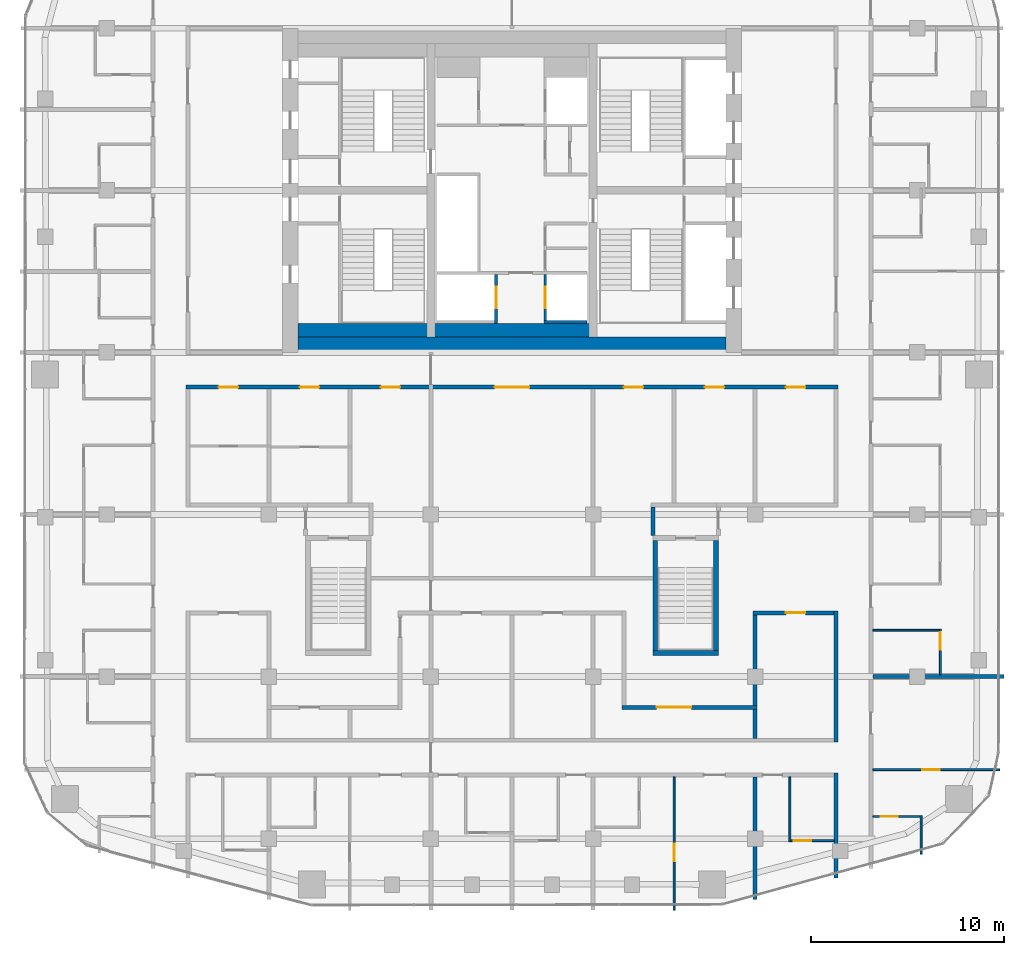
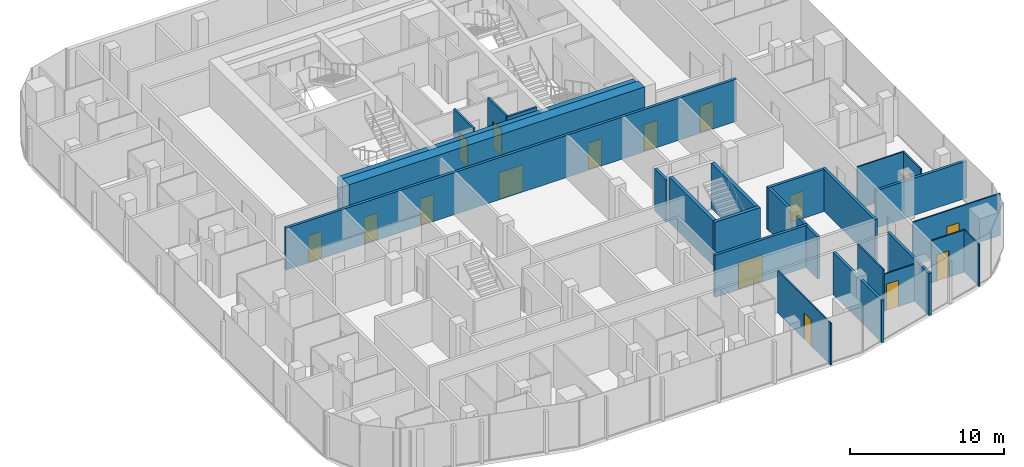
# One storey, part 16 of 22: 26 walls, 16 doors, 16 openings.
"""IFC4 building model written with IfcOpenShell, lengths in metres."""

import ifcopenshell
import ifcopenshell.guid

model = None  # the IFC model being written
_history = None  # IfcOwnerHistory: only IFC2X3 demands one
_inside = {}  # id of a spatial element -> (the spatial element, [elements in it])
_under = {}  # id of a project, library or spatial element -> (it, [spatial elements below it])
_declared = {}  # id of a project -> (the project, [libraries it declares])
_typed = {}  # id of a type object -> (the type object, [elements of that type])
_made_of = {}  # id of a material, layer set ... -> (it, [elements and type objects made of it])


def new_model(schema):
    """Start an empty IFC model of exactly this schema.

    Asked for "IFC4X3", IfcOpenShell would pick the latest addendum, in which some entities
    have other attributes; the version numbers below select the first issue.
    IFC2X3 requires an IfcOwnerHistory on every rooted entity: one is made here for all.
    """
    global model, _history
    if schema == "IFC4X3":
        model = ifcopenshell.file(schema_version=(4, 3, 0, 0))
    else:
        model = ifcopenshell.file(schema=schema)
    _inside.clear()
    _under.clear()
    _declared.clear()
    _typed.clear()
    _made_of.clear()
    _history = None
    if model.schema == "IFC2X3":
        org = make("IfcOrganization", Name="unknown")
        user = make(
            "IfcPersonAndOrganization",
            ThePerson=make("IfcPerson", FamilyName="unknown"),
            TheOrganization=org,
        )
        app = make(
            "IfcApplication",
            ApplicationDeveloper=org,
            Version="unknown",
            ApplicationFullName="unknown",
            ApplicationIdentifier="unknown",
        )
        _history = make(
            "IfcOwnerHistory",
            OwningUser=user,
            OwningApplication=app,
            ChangeAction="ADDED",
            CreationDate=0,
        )
    return model


def make(cls, **values):
    """One entity of the class cls with the attributes given. An attribute that is None is left unset."""
    return model.create_entity(
        cls, **{name: value for name, value in values.items() if value is not None}
    )


def rooted(cls, **values):
    """An entity with a GlobalId (a new one), such as an element, a storey or a relation."""
    return make(cls, GlobalId=ifcopenshell.guid.new(), OwnerHistory=_history, **values)


def si_unit(unit_type, name, prefix=None):
    """IfcSIUnit, for example si_unit("LENGTHUNIT", "METRE", prefix="MILLI")."""
    return make("IfcSIUnit", UnitType=unit_type, Prefix=prefix, Name=name)


def assignment(units):
    """IfcUnitAssignment: the units of a project."""
    return None if units is None else make("IfcUnitAssignment", Units=units)


def point(xyz):
    """IfcCartesianPoint."""
    return None if xyz is None else make("IfcCartesianPoint", Coordinates=xyz)


def direction(xyz):
    """IfcDirection."""
    return None if xyz is None else make("IfcDirection", DirectionRatios=xyz)


def frame(location, z_axis=None, x_axis=None):
    """IfcAxis2Placement3D, a coordinate frame: its origin and axes. An axis left out is left unset."""
    return make(
        "IfcAxis2Placement3D",
        Location=point(location),
        Axis=direction(z_axis),
        RefDirection=direction(x_axis),
    )


def frame_2d(location, x_axis=None):
    """IfcAxis2Placement2D, a coordinate frame in the plane: its origin and x axis."""
    return make(
        "IfcAxis2Placement2D", Location=point(location), RefDirection=direction(x_axis)
    )


def origin():
    """The frame at (0, 0, 0) with its axes left unset."""
    return frame((0.0, 0.0, 0.0))


def place(relative_to, where):
    """IfcLocalPlacement: puts the frame where relative to a parent placement (None: the world)."""
    return make(
        "IfcLocalPlacement", PlacementRelTo=relative_to, RelativePlacement=where
    )


def context(
    kind, dimensions, precision=None, world=None, true_north=None, identifier=None
):
    """IfcGeometricRepresentationContext, for example the 3D "Model" context."""
    return make(
        "IfcGeometricRepresentationContext",
        ContextIdentifier=identifier,
        ContextType=kind,
        CoordinateSpaceDimension=dimensions,
        Precision=precision,
        WorldCoordinateSystem=world,
        TrueNorth=true_north,
    )


def subcontext(parent, identifier, kind, view, scale=None):
    """IfcGeometricRepresentationSubContext, for example "Body" below "Model"."""
    return make(
        "IfcGeometricRepresentationSubContext",
        ContextIdentifier=identifier,
        ContextType=kind,
        ParentContext=parent,
        TargetScale=scale,
        TargetView=view,
    )


def project(units=None, contexts=None):
    """IfcProject with its units and contexts."""
    return rooted(
        "IfcProject",
        Name="project",
        RepresentationContexts=contexts,
        UnitsInContext=assignment(units),
    )


def spatial(cls, under=None, at=None, **own):
    """A site, building, storey or space (cls), placed at a placement, below another one or the project."""
    s = rooted(cls, ObjectPlacement=at, **own)
    if under is not None:
        _under.setdefault(under.id(), (under, []))[1].append(s)
    return s


def profile(cls, at=None, kind="AREA", **sizes):
    """A parametric profile (cls). Its sizes go by their IFC names, for example OverallWidth=200.0."""
    return make(cls, ProfileType=kind, Position=at, **sizes)


def rectangle(**sizes):
    """IfcRectangleProfileDef."""
    return profile("IfcRectangleProfileDef", **sizes)


def extrude(swept, where, along, depth):
    """IfcExtrudedAreaSolid: the profile swept, set in the frame where, extruded along a direction by depth."""
    return make(
        "IfcExtrudedAreaSolid",
        SweptArea=swept,
        Position=where,
        ExtrudedDirection=direction(along),
        Depth=depth,
    )


def shape(context_of_items, identifier, shape_type, items):
    """IfcShapeRepresentation: the items that make up one representation, for example the "Body"."""
    return make(
        "IfcShapeRepresentation",
        ContextOfItems=context_of_items,
        RepresentationIdentifier=identifier,
        RepresentationType=shape_type,
        Items=items,
    )


def material(Name=None, Category=None):
    """IfcMaterial."""
    return make("IfcMaterial", Name=Name, Category=Category)


def layer(
    of_material, thickness, ventilated=None, Name=None, Category=None, Priority=None
):
    """IfcMaterialLayer: one layer of a wall or slab, of a material (None: an air gap)."""
    return make(
        "IfcMaterialLayer",
        Material=of_material,
        LayerThickness=thickness,
        IsVentilated=ventilated,
        Name=Name,
        Category=Category,
        Priority=Priority,
    )


def layer_set(layers, Name=None):
    """IfcMaterialLayerSet."""
    return make("IfcMaterialLayerSet", MaterialLayers=layers, LayerSetName=Name)


def made_of(thing, what):
    """Note that an element or type object is made of a material, layer set ...; save() writes the relation."""
    if what is not None:
        _made_of.setdefault(what.id(), (what, []))[1].append(thing)
    return thing


def type_object(cls, material=None, **own):
    """A type object (cls), such as IfcWallType, which elements share."""
    return made_of(rooted(cls, **own), material)


def element(
    cls,
    number,
    at=None,
    inside=None,
    cuts=None,
    type_object=None,
    material=None,
    context=None,
    identifier="Body",
    shape_type=None,
    held_by="IfcProductDefinitionShape",
    body=None,
    shapes=None,
    **own,
):
    """One element of the class cls, such as IfcWall. Its Tag is "e" and its number.

    at: its placement. inside: the storey or other place that contains it. cuts: it is an
    opening in that element (IfcRelVoidsElement). A single representation is given by context,
    identifier, shape_type and body (its items); several are given by shapes. held_by: the class
    of the entity that holds the representations. save() writes the other relations.
    """
    e = rooted(cls, Tag="e%d" % number, ObjectPlacement=at, **own)
    if body is not None:
        shapes = [shape(context, identifier, shape_type, body)]
    if shapes is not None:
        e.Representation = make(held_by, Representations=shapes)
    if inside is not None:
        _inside.setdefault(inside.id(), (inside, []))[1].append(e)
    if cuts is not None:
        rooted(
            "IfcRelVoidsElement", RelatingBuildingElement=cuts, RelatedOpeningElement=e
        )
    if type_object is not None:
        _typed.setdefault(type_object.id(), (type_object, []))[1].append(e)
    return made_of(e, material)


def fill(opening, filler):
    """IfcRelFillsElement: the door or window that sits in an opening."""
    return rooted(
        "IfcRelFillsElement",
        RelatingOpeningElement=opening,
        RelatedBuildingElement=filler,
    )


def aggregate(whole, parts):
    """IfcRelAggregates: a whole, such as a stair, and the parts it consists of."""
    return rooted("IfcRelAggregates", RelatingObject=whole, RelatedObjects=parts)


def save(model, path):
    """Write the relations noted so far, then the file.

    IfcRelAggregates (storeys below a building ...), IfcRelContainedInSpatialStructure (elements
    in a storey), IfcRelDefinesByType, IfcRelAssociatesMaterial and IfcRelDeclares: one each for
    every whole, place, type object, material and project.
    """
    for whole, parts in _under.values():
        aggregate(whole, parts)
    for where, things in _inside.values():
        rooted(
            "IfcRelContainedInSpatialStructure",
            RelatedElements=things,
            RelatingStructure=where,
        )
    for kind, things in _typed.values():
        rooted("IfcRelDefinesByType", RelatedObjects=things, RelatingType=kind)
    for what, things in _made_of.values():
        rooted("IfcRelAssociatesMaterial", RelatedObjects=things, RelatingMaterial=what)
    for by, libraries in _declared.values():
        rooted("IfcRelDeclares", RelatingContext=by, RelatedDefinitions=libraries)
    model.write(path)


model = new_model("IFC4")

# Units and contexts
model_context = context("Model", 3, precision=1e-05, world=origin(), true_north=direction((0.0, 1.0)))
body_context = subcontext(model_context, "Body", "Model", "MODEL_VIEW")
ifc_project = project(units=[si_unit("LENGTHUNIT", "METRE"), si_unit("AREAUNIT", "SQUARE_METRE"), si_unit("VOLUMEUNIT", "CUBIC_METRE"), si_unit("PLANEANGLEUNIT", "RADIAN"), si_unit("MASSUNIT", "GRAM", prefix="KILO")], contexts=[model_context])

# Site, building, storey
site_placement = place(None, origin())
site = spatial("IfcSite", under=ifc_project, at=site_placement, CompositionType="ELEMENT")
building_placement = place(site_placement, origin())
building = spatial("IfcBuilding", under=site, at=building_placement, Name="Marenta Gate Hotel Tower", CompositionType="ELEMENT")
storey_placement = place(building_placement, frame((0.0, 0.0, 230.89990234375)))
storey = spatial("IfcBuildingStorey", under=building, at=storey_placement, Name="L54", CompositionType="ELEMENT", Elevation=230.89990234375)

# Wall
ifc_material_1 = material(Name="Concrete C40", Category="concrete")
ifc_layer_1 = layer(ifc_material_1, 0.699951171875)
ifc_layer_set_1 = layer_set([ifc_layer_1], Name="Concrete C40")
wall_type_1 = type_object("IfcWallType", Name="Core lining wall 700 REI 180", PredefinedType="PARTITIONING", material=ifc_layer_set_1)
wall_1_placement = place(storey_placement, frame((-11.10009765625, 1.14990234375, 0.0), z_axis=(0.0, 0.0, 1.0), x_axis=(1.0, 0.0, 0.0)))
element("IfcWall", 1, at=wall_1_placement, inside=storey, type_object=wall_type_1, Name="L54-CP-LN-S", PredefinedType="PARTITIONING", context=body_context, shape_type="SweptSolid", body=[
    extrude(rectangle(XDim=22.2001953125, YDim=0.699951171875, at=frame_2d((11.10009765625, 0.0))), origin(), (0.0, 0.0, 1.0), 3.340087890625),
])

# Wall, opening, door
ifc_material_2 = material(Name="Concrete C40", Category="concrete")
ifc_layer_2 = layer(ifc_material_2, 0.14990234375)
ifc_layer_set_2 = layer_set([ifc_layer_2], Name="Concrete C40")
wall_type_2 = type_object("IfcWallType", Name="Core shaft wall 150 REI 180", PredefinedType="SHEAR", material=ifc_layer_set_2)
wall_2_placement = place(storey_placement, frame((-0.824951171875, 1.5, 0.0), z_axis=(0.0, 0.0, 1.0), x_axis=(0.0, 1.0, 0.0)))
wall_2 = element("IfcWall", 2, at=wall_2_placement, inside=storey, type_object=wall_type_2, Name="L54-SHF-CW-W-ff", PredefinedType="SHEAR", context=body_context, shape_type="SweptSolid", body=[
    extrude(rectangle(XDim=2.550048828125, YDim=0.14990234375, at=frame_2d((1.27490234375, 0.0))), origin(), (0.0, 0.0, 1.0), 3.60009765625),
])
opening_1_placement = place(wall_2_placement, frame((0.800048828125, 0.0, 0.0)))
opening_1 = element("IfcOpeningElement", 3, at=opening_1_placement, cuts=wall_2, Name="Opening LD-FF1", PredefinedType="OPENING", context=body_context, shape_type="SweptSolid", body=[
    extrude(rectangle(XDim=1.10009765625, YDim=2.10009765625, at=frame_2d((0.550048828125, 1.050048828125))), frame((0.0, 0.074951171875, 0.0), z_axis=(0.0, -1.0, 0.0), x_axis=(1.0, 0.0, 0.0)), (0.0, 0.0, 1.0), 0.14990234375),
])
ifc_material_3 = material(Name="Steel", Category="steel")
door_type_1 = type_object("IfcDoorType", Name="Core lift landing door 1100x2100 E 60", OperationType="SLIDING_TO_LEFT", PredefinedType="DOOR", material=ifc_material_3)
door_1_placement = place(opening_1_placement, origin())
door_1 = element("IfcDoor", 4, at=door_1_placement, inside=storey, type_object=door_type_1, Name="LD-FF1", OperationType="SLIDING_TO_LEFT", OverallHeight=2.10009765625, OverallWidth=1.10009765625, PredefinedType="DOOR", context=body_context, shape_type="SweptSolid", body=[
    extrude(rectangle(XDim=1.10009765625, YDim=2.10009765625, at=frame_2d((0.550048828125, 1.050048828125))), frame((0.0, 0.02490234375, 0.0), z_axis=(0.0, -1.0, 0.0), x_axis=(1.0, 0.0, 0.0)), (0.0, 0.0, 1.0), 0.050048828125),
])
fill(opening_1, door_1)

wall_3_placement = place(storey_placement, frame((1.72509765625, 1.64990234375, 0.0), z_axis=(0.0, 0.0, 1.0), x_axis=(0.0, 1.0, 0.0)))
wall_3 = element("IfcWall", 5, at=wall_3_placement, inside=storey, type_object=wall_type_2, Name="L54-SHF-CE-S-ls", PredefinedType="SHEAR", context=body_context, shape_type="SweptSolid", body=[
    extrude(rectangle(XDim=2.400146484375, YDim=0.14990234375, at=frame_2d((1.2001953125, 0.0))), origin(), (0.0, 0.0, 1.0), 3.60009765625),
])
opening_2_placement = place(wall_3_placement, frame((0.64990234375, 0.0, 0.0)))
opening_2 = element("IfcOpeningElement", 6, at=opening_2_placement, cuts=wall_3, Name="Opening LD-SV1", PredefinedType="OPENING", context=body_context, shape_type="SweptSolid", body=[
    extrude(rectangle(XDim=1.10009765625, YDim=2.10009765625, at=frame_2d((0.550048828125, 1.050048828125))), frame((0.0, 0.074951171875, 0.0), z_axis=(0.0, -1.0, 0.0), x_axis=(1.0, 0.0, 0.0)), (0.0, 0.0, 1.0), 0.14990234375),
])
door_2_placement = place(opening_2_placement, origin())
door_2 = element("IfcDoor", 7, at=door_2_placement, inside=storey, type_object=door_type_1, Name="LD-SV1", OperationType="SLIDING_TO_LEFT", OverallHeight=2.10009765625, OverallWidth=1.10009765625, PredefinedType="DOOR", context=body_context, shape_type="SweptSolid", body=[
    extrude(rectangle(XDim=1.10009765625, YDim=2.10009765625, at=frame_2d((0.550048828125, 1.050048828125))), frame((0.0, 0.02490234375, 0.0), z_axis=(0.0, -1.0, 0.0), x_axis=(1.0, 0.0, 0.0)), (0.0, 0.0, 1.0), 0.050048828125),
])
fill(opening_2, door_2)

# Walls
wall_4_placement = place(storey_placement, frame((1.64990234375, 1.574951171875, 0.0), z_axis=(0.0, 0.0, 1.0), x_axis=(1.0, 0.0, 0.0)))
element("IfcWall", 8, at=wall_4_placement, inside=storey, type_object=wall_type_2, Name="L54-SHF-CE-S-bot", PredefinedType="SHEAR", context=body_context, shape_type="SweptSolid", body=[
    extrude(rectangle(XDim=2.25, YDim=0.14990234375, at=frame_2d((1.125, 0.0))), origin(), (0.0, 0.0, 1.0), 3.60009765625),
])
ifc_material_4 = material(Name="Concrete C60", Category="concrete")
ifc_layer_3 = layer(ifc_material_4, 0.800048828125)
ifc_layer_set_3 = layer_set([ifc_layer_3], Name="Concrete C60")
wall_type_3 = type_object("IfcWallType", Name="Core wall 800 C60", PredefinedType="SHEAR", material=ifc_layer_set_3)
wall_5_placement = place(storey_placement, frame((-11.10009765625, 0.39990234375, 0.0), z_axis=(0.0, 0.0, 1.0), x_axis=(1.0, 0.0, 0.0)))
element("IfcWall", 9, at=wall_5_placement, inside=storey, type_object=wall_type_3, Name="L54-CORE-S", PredefinedType="SHEAR", context=body_context, shape_type="SweptSolid", body=[
    extrude(rectangle(XDim=22.2001953125, YDim=0.800048828125, at=frame_2d((11.10009765625, 0.0))), origin(), (0.0, 0.0, 1.0), 3.60009765625),
])
ifc_material_5 = material(Name="Concrete C40", Category="concrete")
ifc_layer_4 = layer(ifc_material_5, 0.25)
ifc_layer_set_4 = layer_set([ifc_layer_4], Name="Concrete C40")
wall_type_4 = type_object("IfcWallType", Name="Remote stair enclosure wall 250 REI 180", PredefinedType="SHEAR", material=ifc_layer_set_4)
wall_6_placement = place(storey_placement, frame((7.300048828125, -15.574951171875, 0.10009765625), z_axis=(0.0, 0.0, 1.0), x_axis=(1.0, 0.0, 0.0)))
element("IfcWall", 10, at=wall_6_placement, inside=storey, type_object=wall_type_4, Name="L54-RS-Z3-2-W1", PredefinedType="SHEAR", context=body_context, shape_type="SweptSolid", body=[
    extrude(rectangle(XDim=3.39990234375, YDim=0.25, at=frame_2d((1.699951171875, 0.0))), origin(), (0.0, 0.0, 1.0), 3.60009765625),
])
for number, where, z_axis, x_axis, name in (
    (11, (7.425048828125, -15.449951171875, 0.10009765625), (0.0, 0.0, 1.0), (0.0, 1.0, 0.0), "L54-RS-Z3-2-W3"),
    (12, (10.574951171875, -15.449951171875, 0.10009765625), (0.0, 0.0, 1.0), (0.0, 1.0, 0.0), "L54-RS-Z3-2-W4"),
):
    element("IfcWall", number, at=place(storey_placement, frame(where, z_axis=z_axis, x_axis=x_axis)), inside=storey, type_object=wall_type_4, Name=name, PredefinedType="SHEAR", context=body_context, shape_type="SweptSolid", body=[
        extrude(rectangle(XDim=5.699951171875, YDim=0.25, at=frame_2d((2.85009765625, 0.0))), origin(), (0.0, 0.0, 1.0), 3.60009765625),
    ])

# Wall, openings, doors
ifc_material_6 = material(Name="Concrete blockwork", Category="masonry")
ifc_layer_5 = layer(ifc_material_6, 0.199951171875)
ifc_layer_set_5 = layer_set([ifc_layer_5], Name="Concrete blockwork")
wall_type_5 = type_object("IfcWallType", Name="Room corridor wall 200 EI 120", PredefinedType="PARTITIONING", material=ifc_layer_set_5)
wall_7_placement = place(storey_placement, frame((-16.89990234375, -1.800048828125, 0.0), z_axis=(0.0, 0.0, 1.0), x_axis=(1.0, 0.0, 0.0)))
wall_7 = element("IfcWall", 13, at=wall_7_placement, inside=storey, type_object=wall_type_5, Name="L54-PTN-W070", PredefinedType="PARTITIONING", context=body_context, shape_type="SweptSolid", body=[
    extrude(rectangle(XDim=33.7998046875, YDim=0.199951171875, at=frame_2d((16.89990234375, 0.0))), origin(), (0.0, 0.0, 1.0), 3.340087890625),
])
opening_3_placement = place(wall_7_placement, frame((1.699951171875, 0.0, 0.0)))
opening_3 = element("IfcOpeningElement", 14, at=opening_3_placement, cuts=wall_7, Name="Opening G20-01", PredefinedType="OPENING", context=body_context, shape_type="SweptSolid", body=[
    extrude(rectangle(XDim=1.0, YDim=2.10009765625, at=frame_2d((0.5, 1.050048828125))), frame((0.0, 0.10009765625, 0.0), z_axis=(0.0, -1.0, 0.0), x_axis=(1.0, 0.0, 0.0)), (0.0, 0.0, 1.0), 0.199951171875),
])
opening_4_placement = place(wall_7_placement, frame((5.89990234375, 0.0, 0.0)))
opening_4 = element("IfcOpeningElement", 15, at=opening_4_placement, cuts=wall_7, Name="Opening G20-03", PredefinedType="OPENING", context=body_context, shape_type="SweptSolid", body=[
    extrude(rectangle(XDim=1.0, YDim=2.10009765625, at=frame_2d((0.5, 1.050048828125))), frame((0.0, 0.10009765625, 0.0), z_axis=(0.0, -1.0, 0.0), x_axis=(1.0, 0.0, 0.0)), (0.0, 0.0, 1.0), 0.199951171875),
])
opening_5_placement = place(wall_7_placement, frame((10.10009765625, 0.0, 0.0)))
opening_5 = element("IfcOpeningElement", 16, at=opening_5_placement, cuts=wall_7, Name="Opening G20-05", PredefinedType="OPENING", context=body_context, shape_type="SweptSolid", body=[
    extrude(rectangle(XDim=1.0, YDim=2.10009765625, at=frame_2d((0.5, 1.050048828125))), frame((0.0, 0.10009765625, 0.0), z_axis=(0.0, -1.0, 0.0), x_axis=(1.0, 0.0, 0.0)), (0.0, 0.0, 1.0), 0.199951171875),
])
opening_6_placement = place(wall_7_placement, frame((16.0, 0.0, 0.0)))
opening_6 = element("IfcOpeningElement", 17, at=opening_6_placement, cuts=wall_7, Name="Opening G20-06", PredefinedType="OPENING", context=body_context, shape_type="SweptSolid", body=[
    extrude(rectangle(XDim=1.800048828125, YDim=2.10009765625, at=frame_2d((0.89990234375, 1.050048828125))), frame((0.0, 0.10009765625, 0.0), z_axis=(0.0, -1.0, 0.0), x_axis=(1.0, 0.0, 0.0)), (0.0, 0.0, 1.0), 0.199951171875),
])
opening_7_placement = place(wall_7_placement, frame((22.699951171875, 0.0, 0.0)))
opening_7 = element("IfcOpeningElement", 18, at=opening_7_placement, cuts=wall_7, Name="Opening G20-07", PredefinedType="OPENING", context=body_context, shape_type="SweptSolid", body=[
    extrude(rectangle(XDim=1.0, YDim=2.10009765625, at=frame_2d((0.5, 1.050048828125))), frame((0.0, 0.10009765625, 0.0), z_axis=(0.0, -1.0, 0.0), x_axis=(1.0, 0.0, 0.0)), (0.0, 0.0, 1.0), 0.199951171875),
])
opening_8_placement = place(wall_7_placement, frame((26.89990234375, 0.0, 0.0)))
opening_8 = element("IfcOpeningElement", 19, at=opening_8_placement, cuts=wall_7, Name="Opening G20-08", PredefinedType="OPENING", context=body_context, shape_type="SweptSolid", body=[
    extrude(rectangle(XDim=1.0, YDim=2.10009765625, at=frame_2d((0.5, 1.050048828125))), frame((0.0, 0.10009765625, 0.0), z_axis=(0.0, -1.0, 0.0), x_axis=(1.0, 0.0, 0.0)), (0.0, 0.0, 1.0), 0.199951171875),
])
opening_9_placement = place(wall_7_placement, frame((31.10009765625, 0.0, 0.0)))
opening_9 = element("IfcOpeningElement", 20, at=opening_9_placement, cuts=wall_7, Name="Opening G20-09", PredefinedType="OPENING", context=body_context, shape_type="SweptSolid", body=[
    extrude(rectangle(XDim=1.0, YDim=2.10009765625, at=frame_2d((0.5, 1.050048828125))), frame((0.0, 0.10009765625, 0.0), z_axis=(0.0, -1.0, 0.0), x_axis=(1.0, 0.0, 0.0)), (0.0, 0.0, 1.0), 0.199951171875),
])
ifc_material_7 = material(Name="Timber door leaf", Category="wood")
door_type_2 = type_object("IfcDoorType", Name="Room amenity door 1000x2100 EI 60", OperationType="NOTDEFINED", PredefinedType="DOOR", material=ifc_material_7)
door_3_placement = place(opening_5_placement, origin())
door_3 = element("IfcDoor", 21, at=door_3_placement, inside=storey, type_object=door_type_2, Name="L54-PD-D005", OperationType="SINGLE_SWING_RIGHT", OverallHeight=2.10009765625, OverallWidth=1.0, PredefinedType="DOOR", context=body_context, shape_type="SweptSolid", body=[
    extrude(rectangle(XDim=1.0, YDim=2.10009765625, at=frame_2d((0.5, 1.050048828125))), frame((0.0, 0.02490234375, 0.0), z_axis=(0.0, -1.0, 0.0), x_axis=(1.0, 0.0, 0.0)), (0.0, 0.0, 1.0), 0.050048828125),
])
fill(opening_5, door_3)
door_4_placement = place(opening_7_placement, origin())
door_4 = element("IfcDoor", 22, at=door_4_placement, inside=storey, type_object=door_type_2, Name="L54-PD-D007", OperationType="SINGLE_SWING_RIGHT", OverallHeight=2.10009765625, OverallWidth=1.0, PredefinedType="DOOR", context=body_context, shape_type="SweptSolid", body=[
    extrude(rectangle(XDim=1.0, YDim=2.10009765625, at=frame_2d((0.5, 1.050048828125))), frame((0.0, 0.02490234375, 0.0), z_axis=(0.0, -1.0, 0.0), x_axis=(1.0, 0.0, 0.0)), (0.0, 0.0, 1.0), 0.050048828125),
])
fill(opening_7, door_4)
door_5_placement = place(opening_8_placement, origin())
door_5 = element("IfcDoor", 23, at=door_5_placement, inside=storey, type_object=door_type_2, Name="L54-PD-D008", OperationType="SINGLE_SWING_LEFT", OverallHeight=2.10009765625, OverallWidth=1.0, PredefinedType="DOOR", context=body_context, shape_type="SweptSolid", body=[
    extrude(rectangle(XDim=1.0, YDim=2.10009765625, at=frame_2d((0.5, 1.050048828125))), frame((0.0, 0.02490234375, 0.0), z_axis=(0.0, -1.0, 0.0), x_axis=(1.0, 0.0, 0.0)), (0.0, 0.0, 1.0), 0.050048828125),
])
fill(opening_8, door_5)
door_6_placement = place(opening_9_placement, origin())
door_6 = element("IfcDoor", 24, at=door_6_placement, inside=storey, type_object=door_type_2, Name="L54-PD-D009", OperationType="SINGLE_SWING_RIGHT", OverallHeight=2.10009765625, OverallWidth=1.0, PredefinedType="DOOR", context=body_context, shape_type="SweptSolid", body=[
    extrude(rectangle(XDim=1.0, YDim=2.10009765625, at=frame_2d((0.5, 1.050048828125))), frame((0.0, 0.02490234375, 0.0), z_axis=(0.0, -1.0, 0.0), x_axis=(1.0, 0.0, 0.0)), (0.0, 0.0, 1.0), 0.050048828125),
])
fill(opening_9, door_6)
ifc_material_8 = material(Name="Timber door leaf", Category="wood")
door_type_3 = type_object("IfcDoorType", Name="Room amenity door 1800x2100 EI 60", OperationType="DOUBLE_DOOR_SINGLE_SWING", PredefinedType="DOOR", material=ifc_material_8)
door_7_placement = place(opening_6_placement, origin())
door_7 = element("IfcDoor", 25, at=door_7_placement, inside=storey, type_object=door_type_3, Name="L54-PD-D006", OperationType="DOUBLE_DOOR_SINGLE_SWING", OverallHeight=2.10009765625, OverallWidth=1.800048828125, PredefinedType="DOOR", context=body_context, shape_type="SweptSolid", body=[
    extrude(rectangle(XDim=1.800048828125, YDim=2.10009765625, at=frame_2d((0.89990234375, 1.050048828125))), frame((0.0, 0.02490234375, 0.0), z_axis=(0.0, -1.0, 0.0), x_axis=(1.0, 0.0, 0.0)), (0.0, 0.0, 1.0), 0.050048828125),
])
fill(opening_6, door_7)
ifc_material_9 = material(Name="Hollow steel door set", Category="steel")
door_type_4 = type_object("IfcDoorType", Name="Room service door 1000x2100 EI 60", OperationType="NOTDEFINED", PredefinedType="DOOR", material=ifc_material_9)
door_8_placement = place(opening_3_placement, origin())
door_8 = element("IfcDoor", 26, at=door_8_placement, inside=storey, type_object=door_type_4, Name="L54-PD-D001", OperationType="SINGLE_SWING_LEFT", OverallHeight=2.10009765625, OverallWidth=1.0, PredefinedType="DOOR", context=body_context, shape_type="SweptSolid", body=[
    extrude(rectangle(XDim=1.0, YDim=2.10009765625, at=frame_2d((0.5, 1.050048828125))), frame((0.0, 0.02490234375, 0.0), z_axis=(0.0, -1.0, 0.0), x_axis=(1.0, 0.0, 0.0)), (0.0, 0.0, 1.0), 0.050048828125),
])
fill(opening_3, door_8)
door_9_placement = place(opening_4_placement, origin())
door_9 = element("IfcDoor", 27, at=door_9_placement, inside=storey, type_object=door_type_4, Name="L54-PD-D003", OperationType="SINGLE_SWING_LEFT", OverallHeight=2.10009765625, OverallWidth=1.0, PredefinedType="DOOR", context=body_context, shape_type="SweptSolid", body=[
    extrude(rectangle(XDim=1.0, YDim=2.10009765625, at=frame_2d((0.5, 1.050048828125))), frame((0.0, 0.02490234375, 0.0), z_axis=(0.0, -1.0, 0.0), x_axis=(1.0, 0.0, 0.0)), (0.0, 0.0, 1.0), 0.050048828125),
])
fill(opening_4, door_9)

# Wall, opening, door
ifc_material_10 = material(Name="Gypsum board on steel stud", Category="steel")
ifc_layer_6 = layer(ifc_material_10, 0.199951171875)
ifc_layer_set_6 = layer_set([ifc_layer_6], Name="Gypsum board on steel stud")
wall_type_6 = type_object("IfcWallType", Name="Room corridor wall 200 EI 60", PredefinedType="PARTITIONING", material=ifc_layer_set_6)
wall_8_placement = place(storey_placement, frame((5.699951171875, -18.39990234375, 0.0), z_axis=(0.0, 0.0, 1.0), x_axis=(1.0, 0.0, 0.0)))
wall_8 = element("IfcWall", 28, at=wall_8_placement, inside=storey, type_object=wall_type_6, Name="L54-PTN-W025", PredefinedType="PARTITIONING", context=body_context, shape_type="SweptSolid", body=[
    extrude(rectangle(XDim=7.0, YDim=0.199951171875, at=frame_2d((3.5, 0.0))), origin(), (0.0, 0.0, 1.0), 3.340087890625),
])
opening_10_placement = place(wall_8_placement, frame((1.800048828125, 0.0, 0.0)))
opening_10 = element("IfcOpeningElement", 29, at=opening_10_placement, cuts=wall_8, Name="Opening G20-15", PredefinedType="OPENING", context=body_context, shape_type="SweptSolid", body=[
    extrude(rectangle(XDim=1.800048828125, YDim=2.10009765625, at=frame_2d((0.89990234375, 1.050048828125))), frame((0.0, 0.10009765625, 0.0), z_axis=(0.0, -1.0, 0.0), x_axis=(1.0, 0.0, 0.0)), (0.0, 0.0, 1.0), 0.199951171875),
])
ifc_material_11 = material(Name="Timber door leaf", Category="wood")
door_type_5 = type_object("IfcDoorType", Name="Room amenity door 1800x2100 EI 30", OperationType="DOUBLE_DOOR_SINGLE_SWING", PredefinedType="DOOR", material=ifc_material_11)
door_10_placement = place(opening_10_placement, origin())
door_10 = element("IfcDoor", 30, at=door_10_placement, inside=storey, type_object=door_type_5, Name="L54-PD-D015", OperationType="DOUBLE_DOOR_SINGLE_SWING", OverallHeight=2.10009765625, OverallWidth=1.800048828125, PredefinedType="DOOR", context=body_context, shape_type="SweptSolid", body=[
    extrude(rectangle(XDim=1.800048828125, YDim=2.10009765625, at=frame_2d((0.89990234375, 1.050048828125))), frame((0.0, 0.02490234375, 0.0), z_axis=(0.0, -1.0, 0.0), x_axis=(1.0, 0.0, 0.0)), (0.0, 0.0, 1.0), 0.050048828125),
])
fill(opening_10, door_10)

# Walls
wall_9_placement = place(storey_placement, frame((16.800048828125, -27.22900390625, 0.0), z_axis=(0.0, 0.0, 1.0), x_axis=(0.0, 1.0, 0.0)))
element("IfcWall", 31, at=wall_9_placement, inside=storey, type_object=wall_type_6, Name="L54-PTN-W026", PredefinedType="PARTITIONING", context=body_context, shape_type="SweptSolid", body=[
    extrude(rectangle(XDim=5.428955078125, YDim=0.199951171875, at=frame_2d((2.71435546875, 0.0))), origin(), (0.0, 0.0, 1.0), 3.340087890625),
])
wall_10_placement = place(storey_placement, frame((16.800048828125, -20.199951171875, 0.0), z_axis=(0.0, 0.0, 1.0), x_axis=(0.0, 1.0, 0.0)))
element("IfcWall", 32, at=wall_10_placement, inside=storey, type_object=wall_type_6, Name="L54-PTN-W027", PredefinedType="PARTITIONING", context=body_context, shape_type="SweptSolid", body=[
    extrude(rectangle(XDim=6.800048828125, YDim=0.199951171875, at=frame_2d((3.39990234375, 0.0))), origin(), (0.0, 0.0, 1.0), 3.340087890625),
])

# Wall, opening, door
wall_11_placement = place(storey_placement, frame((12.5, -13.5, 0.0), z_axis=(0.0, 0.0, 1.0), x_axis=(1.0, 0.0, 0.0)))
wall_11 = element("IfcWall", 33, at=wall_11_placement, inside=storey, type_object=wall_type_6, Name="L54-PTN-W037", PredefinedType="PARTITIONING", context=body_context, shape_type="SweptSolid", body=[
    extrude(rectangle(XDim=4.199951171875, YDim=0.199951171875, at=frame_2d((2.10009765625, 0.0))), origin(), (0.0, 0.0, 1.0), 3.340087890625),
])
opening_11_placement = place(wall_11_placement, frame((1.699951171875, 0.0, 0.0)))
opening_11 = element("IfcOpeningElement", 34, at=opening_11_placement, cuts=wall_11, Name="Opening G20-16", PredefinedType="OPENING", context=body_context, shape_type="SweptSolid", body=[
    extrude(rectangle(XDim=1.0, YDim=2.10009765625, at=frame_2d((0.5, 1.050048828125))), frame((0.0, 0.10009765625, 0.0), z_axis=(0.0, -1.0, 0.0), x_axis=(1.0, 0.0, 0.0)), (0.0, 0.0, 1.0), 0.199951171875),
])
ifc_material_12 = material(Name="Timber door leaf", Category="wood")
door_type_6 = type_object("IfcDoorType", Name="Room amenity door 1000x2100 EI 30", OperationType="NOTDEFINED", PredefinedType="DOOR", material=ifc_material_12)
door_11_placement = place(opening_11_placement, origin())
door_11 = element("IfcDoor", 35, at=door_11_placement, inside=storey, type_object=door_type_6, Name="L54-PD-D016", OperationType="SINGLE_SWING_RIGHT", OverallHeight=2.10009765625, OverallWidth=1.0, PredefinedType="DOOR", context=body_context, shape_type="SweptSolid", body=[
    extrude(rectangle(XDim=1.0, YDim=2.10009765625, at=frame_2d((0.5, 1.050048828125))), frame((0.0, 0.02490234375, 0.0), z_axis=(0.0, -1.0, 0.0), x_axis=(1.0, 0.0, 0.0)), (0.0, 0.0, 1.0), 0.050048828125),
])
fill(opening_11, door_11)

# Wall
wall_12_placement = place(storey_placement, frame((12.60009765625, -18.300048828125, 0.0), z_axis=(0.0, 0.0, 1.0), x_axis=(0.0, 1.0, 0.0)))
element("IfcWall", 36, at=wall_12_placement, inside=storey, type_object=wall_type_6, Name="L54-PTN-W042", PredefinedType="PARTITIONING", context=body_context, shape_type="SweptSolid", body=[
    extrude(rectangle(XDim=4.699951171875, YDim=0.199951171875, at=frame_2d((2.35009765625, 0.0))), origin(), (0.0, 0.0, 1.0), 3.340087890625),
])

# Wall, opening, door
ifc_material_13 = material(Name="Gypsum board on steel stud", Category="steel")
ifc_layer_7 = layer(ifc_material_13, 0.10009765625)
ifc_layer_set_7 = layer_set([ifc_layer_7], Name="Gypsum board on steel stud")
wall_type_7 = type_object("IfcWallType", Name="Room partition 100", PredefinedType="PARTITIONING", material=ifc_layer_set_7)
wall_13_placement = place(storey_placement, frame((14.449951171875, -25.300048828125, 0.0), z_axis=(0.0, 0.0, 1.0), x_axis=(1.0, 0.0, 0.0)))
wall_13 = element("IfcWall", 37, at=wall_13_placement, inside=storey, type_object=wall_type_7, Name="L54-PTN-W004", PredefinedType="PARTITIONING", context=body_context, shape_type="SweptSolid", body=[
    extrude(rectangle(XDim=2.25, YDim=0.10009765625, at=frame_2d((1.125, 0.0))), origin(), (0.0, 0.0, 1.0), 2.940185546875),
])
opening_12_placement = place(wall_13_placement, frame((0.14990234375, 0.0, 0.0)))
opening_12 = element("IfcOpeningElement", 38, at=opening_12_placement, cuts=wall_13, Name="Opening G20-51", PredefinedType="OPENING", context=body_context, shape_type="SweptSolid", body=[
    extrude(rectangle(XDim=0.89990234375, YDim=2.10009765625, at=frame_2d((0.449951171875, 1.050048828125))), frame((0.0, 0.050048828125, 0.0), z_axis=(0.0, -1.0, 0.0), x_axis=(1.0, 0.0, 0.0)), (0.0, 0.0, 1.0), 0.10009765625),
])
ifc_material_14 = material(Name="Timber door leaf", Category="wood")
door_type_7 = type_object("IfcDoorType", Name="Guest bathroom door 900x2100", OperationType="NOTDEFINED", PredefinedType="DOOR", material=ifc_material_14)
door_12_placement = place(opening_12_placement, origin())
door_12 = element("IfcDoor", 39, at=door_12_placement, inside=storey, type_object=door_type_7, Name="L54-PD-D051", OperationType="SINGLE_SWING_LEFT", OverallHeight=2.10009765625, OverallWidth=0.89990234375, PredefinedType="DOOR", context=body_context, shape_type="SweptSolid", body=[
    extrude(rectangle(XDim=0.89990234375, YDim=2.10009765625, at=frame_2d((0.449951171875, 1.050048828125))), frame((0.0, 0.02490234375, 0.0), z_axis=(0.0, -1.0, 0.0), x_axis=(1.0, 0.0, 0.0)), (0.0, 0.0, 1.0), 0.050048828125),
])
fill(opening_12, door_12)

wall_14_placement = place(storey_placement, frame((18.699951171875, -24.051025390625, 0.0), z_axis=(0.0, 0.0, 1.0), x_axis=(1.0, 0.0, 0.0)))
wall_14 = element("IfcWall", 40, at=wall_14_placement, inside=storey, type_object=wall_type_7, Name="L54-PTN-W009", PredefinedType="PARTITIONING", context=body_context, shape_type="SweptSolid", body=[
    extrude(rectangle(XDim=2.449951171875, YDim=0.10009765625, at=frame_2d((1.22509765625, 0.0))), origin(), (0.0, 0.0, 1.0), 3.340087890625),
])
opening_13_placement = place(wall_14_placement, frame((0.39990234375, 0.0, 0.0)))
opening_13 = element("IfcOpeningElement", 41, at=opening_13_placement, cuts=wall_14, Name="Opening G20-19", PredefinedType="OPENING", context=body_context, shape_type="SweptSolid", body=[
    extrude(rectangle(XDim=0.89990234375, YDim=2.10009765625, at=frame_2d((0.449951171875, 1.050048828125))), frame((0.0, 0.050048828125, 0.0), z_axis=(0.0, -1.0, 0.0), x_axis=(1.0, 0.0, 0.0)), (0.0, 0.0, 1.0), 0.10009765625),
])
door_13_placement = place(opening_13_placement, origin())
door_13 = element("IfcDoor", 42, at=door_13_placement, inside=storey, type_object=door_type_7, Name="L54-PD-D019", OperationType="SINGLE_SWING_RIGHT", OverallHeight=2.10009765625, OverallWidth=0.89990234375, PredefinedType="DOOR", context=body_context, shape_type="SweptSolid", body=[
    extrude(rectangle(XDim=0.89990234375, YDim=2.10009765625, at=frame_2d((0.449951171875, 1.050048828125))), frame((0.0, 0.02490234375, 0.0), z_axis=(0.0, -1.0, 0.0), x_axis=(1.0, 0.0, 0.0)), (0.0, 0.0, 1.0), 0.050048828125),
])
fill(opening_13, door_13)

wall_15_placement = place(storey_placement, frame((22.199951171875, -16.699951171875, 0.0), z_axis=(0.0, 0.0, 1.0), x_axis=(0.0, 1.0, 0.0)))
wall_15 = element("IfcWall", 43, at=wall_15_placement, inside=storey, type_object=wall_type_7, Name="L54-PTN-W010", PredefinedType="PARTITIONING", context=body_context, shape_type="SweptSolid", body=[
    extrude(rectangle(XDim=2.349853515625, YDim=0.10009765625, at=frame_2d((1.1748046875, 0.0))), origin(), (0.0, 0.0, 1.0), 3.340087890625),
])
opening_14_placement = place(wall_15_placement, frame((1.300048828125, 0.0, 0.0)))
opening_14 = element("IfcOpeningElement", 44, at=opening_14_placement, cuts=wall_15, Name="Opening G20-22", PredefinedType="OPENING", context=body_context, shape_type="SweptSolid", body=[
    extrude(rectangle(XDim=0.89990234375, YDim=2.10009765625, at=frame_2d((0.449951171875, 1.050048828125))), frame((0.0, 0.050048828125, 0.0), z_axis=(0.0, -1.0, 0.0), x_axis=(1.0, 0.0, 0.0)), (0.0, 0.0, 1.0), 0.10009765625),
])
ifc_material_15 = material(Name="Timber door leaf", Category="wood")
door_type_8 = type_object("IfcDoorType", Name="Room inner door 900x2100", OperationType="NOTDEFINED", PredefinedType="DOOR", material=ifc_material_15)
door_14_placement = place(opening_14_placement, origin())
door_14 = element("IfcDoor", 45, at=door_14_placement, inside=storey, type_object=door_type_8, Name="L54-PD-D022", OperationType="SINGLE_SWING_RIGHT", OverallHeight=2.10009765625, OverallWidth=0.89990234375, PredefinedType="DOOR", context=body_context, shape_type="SweptSolid", body=[
    extrude(rectangle(XDim=0.89990234375, YDim=2.10009765625, at=frame_2d((0.449951171875, 1.050048828125))), frame((0.0, 0.02490234375, 0.0), z_axis=(0.0, -1.0, 0.0), x_axis=(1.0, 0.0, 0.0)), (0.0, 0.0, 1.0), 0.050048828125),
])
fill(opening_14, door_14)

wall_16_placement = place(storey_placement, frame((18.699951171875, -21.625, 0.0), z_axis=(0.0, 0.0, 1.0), x_axis=(1.0, 0.0, 0.0)))
wall_16 = element("IfcWall", 46, at=wall_16_placement, inside=storey, type_object=wall_type_7, Name="L54-PTN-W017", PredefinedType="PARTITIONING", context=body_context, shape_type="SweptSolid", body=[
    extrude(rectangle(XDim=6.575927734375, YDim=0.10009765625, at=frame_2d((3.2880859375, 0.0))), origin(), (0.0, 0.0, 1.0), 3.340087890625),
])
opening_15_placement = place(wall_16_placement, frame((2.56005859375, 0.0, 0.0)))
opening_15 = element("IfcOpeningElement", 47, at=opening_15_placement, cuts=wall_16, Name="Opening G20-18", PredefinedType="OPENING", context=body_context, shape_type="SweptSolid", body=[
    extrude(rectangle(XDim=0.89990234375, YDim=2.10009765625, at=frame_2d((0.449951171875, 1.050048828125))), frame((0.0, 0.050048828125, 0.0), z_axis=(0.0, -1.0, 0.0), x_axis=(1.0, 0.0, 0.0)), (0.0, 0.0, 1.0), 0.10009765625),
])
door_15_placement = place(opening_15_placement, origin())
door_15 = element("IfcDoor", 48, at=door_15_placement, inside=storey, type_object=door_type_8, Name="L54-PD-D018", OperationType="SINGLE_SWING_LEFT", OverallHeight=2.10009765625, OverallWidth=0.89990234375, PredefinedType="DOOR", context=body_context, shape_type="SweptSolid", body=[
    extrude(rectangle(XDim=0.89990234375, YDim=2.10009765625, at=frame_2d((0.449951171875, 1.050048828125))), frame((0.0, 0.02490234375, 0.0), z_axis=(0.0, -1.0, 0.0), x_axis=(1.0, 0.0, 0.0)), (0.0, 0.0, 1.0), 0.050048828125),
])
fill(opening_15, door_15)

# Walls
wall_17_placement = place(storey_placement, frame((21.199951171875, -26.0048828125, 0.0), z_axis=(0.0, 0.0, 1.0), x_axis=(0.0, 1.0, 0.0)))
element("IfcWall", 49, at=wall_17_placement, inside=storey, type_object=wall_type_7, Name="L54-PTN-W019", PredefinedType="PARTITIONING", context=body_context, shape_type="SweptSolid", body=[
    extrude(rectangle(XDim=2.00390625, YDim=0.10009765625, at=frame_2d((1.001953125, 0.0))), origin(), (0.0, 0.0, 1.0), 3.340087890625),
])
wall_18_placement = place(storey_placement, frame((14.39990234375, -25.35009765625, 0.0), z_axis=(0.0, 0.0, 1.0), x_axis=(0.0, 1.0, 0.0)))
element("IfcWall", 50, at=wall_18_placement, inside=storey, type_object=wall_type_7, Name="L54-PTN-W032", PredefinedType="PARTITIONING", context=body_context, shape_type="SweptSolid", body=[
    extrude(rectangle(XDim=3.35009765625, YDim=0.10009765625, at=frame_2d((1.675048828125, 0.0))), origin(), (0.0, 0.0, 1.0), 3.340087890625),
])
wall_19_placement = place(storey_placement, frame((18.699951171875, -14.39990234375, 0.0), z_axis=(0.0, 0.0, 1.0), x_axis=(1.0, 0.0, 0.0)))
element("IfcWall", 51, at=wall_19_placement, inside=storey, type_object=wall_type_7, Name="L54-PTN-W034", PredefinedType="PARTITIONING", context=body_context, shape_type="SweptSolid", body=[
    extrude(rectangle(XDim=3.449951171875, YDim=0.10009765625, at=frame_2d((1.72509765625, 0.0))), origin(), (0.0, 0.0, 1.0), 3.340087890625),
])

# Wall, opening, door
wall_20_placement = place(storey_placement, frame((8.39990234375, -28.89990234375, 0.0), z_axis=(0.0, 0.0, 1.0), x_axis=(0.0, 1.0, 0.0)))
wall_20 = element("IfcWall", 52, at=wall_20_placement, inside=storey, type_object=wall_type_7, Name="L54-PTN-W047", PredefinedType="PARTITIONING", context=body_context, shape_type="SweptSolid", body=[
    extrude(rectangle(XDim=6.89990234375, YDim=0.10009765625, at=frame_2d((3.449951171875, 0.0))), origin(), (0.0, 0.0, 1.0), 3.340087890625),
])
opening_16_placement = place(wall_20_placement, frame((2.530029296875, 0.0, 0.0)))
opening_16 = element("IfcOpeningElement", 53, at=opening_16_placement, cuts=wall_20, Name="Opening G20-48", PredefinedType="OPENING", context=body_context, shape_type="SweptSolid", body=[
    extrude(rectangle(XDim=0.89990234375, YDim=2.10009765625, at=frame_2d((0.449951171875, 1.050048828125))), frame((0.0, 0.050048828125, 0.0), z_axis=(0.0, -1.0, 0.0), x_axis=(1.0, 0.0, 0.0)), (0.0, 0.0, 1.0), 0.10009765625),
])
door_16_placement = place(opening_16_placement, origin())
door_16 = element("IfcDoor", 54, at=door_16_placement, inside=storey, type_object=door_type_8, Name="L54-PD-D048", OperationType="SINGLE_SWING_LEFT", OverallHeight=2.10009765625, OverallWidth=0.89990234375, PredefinedType="DOOR", context=body_context, shape_type="SweptSolid", body=[
    extrude(rectangle(XDim=0.89990234375, YDim=2.10009765625, at=frame_2d((0.449951171875, 1.050048828125))), frame((0.0, 0.02490234375, 0.0), z_axis=(0.0, -1.0, 0.0), x_axis=(1.0, 0.0, 0.0)), (0.0, 0.0, 1.0), 0.050048828125),
])
fill(opening_16, door_16)

# Walls
ifc_material_16 = material(Name="Gypsum board on steel stud", Category="steel")
ifc_layer_8 = layer(ifc_material_16, 0.199951171875)
ifc_layer_set_8 = layer_set([ifc_layer_8], Name="Gypsum board on steel stud")
wall_type_8 = type_object("IfcWallType", Name="Room party wall 200 EI 60", PredefinedType="PARTITIONING", material=ifc_layer_set_8)
wall_21_placement = place(storey_placement, frame((18.699951171875, -16.800048828125, 0.0), z_axis=(0.0, 0.0, 1.0), x_axis=(1.0, 0.0, 0.0)))
element("IfcWall", 55, at=wall_21_placement, inside=storey, type_object=wall_type_8, Name="L54-PTN-W031", PredefinedType="PARTITIONING", context=body_context, shape_type="SweptSolid", body=[
    extrude(rectangle(XDim=6.800048828125, YDim=0.199951171875, at=frame_2d((3.39990234375, 0.0))), origin(), (0.0, 0.0, 1.0), 2.940185546875),
])
wall_22_placement = place(storey_placement, frame((12.60009765625, -28.343017578125, 0.0), z_axis=(0.0, 0.0, 1.0), x_axis=(0.0, 1.0, 0.0)))
element("IfcWall", 56, at=wall_22_placement, inside=storey, type_object=wall_type_8, Name="L54-PTN-W038", PredefinedType="PARTITIONING", context=body_context, shape_type="SweptSolid", body=[
    extrude(rectangle(XDim=6.343017578125, YDim=0.199951171875, at=frame_2d((3.17138671875, 0.0))), origin(), (0.0, 0.0, 1.0), 3.340087890625),
])
wall_23_placement = place(storey_placement, frame((12.60009765625, -20.0, 0.0), z_axis=(0.0, 0.0, 1.0), x_axis=(0.0, 1.0, 0.0)))
element("IfcWall", 57, at=wall_23_placement, inside=storey, type_object=wall_type_8, Name="L54-PTN-W039", PredefinedType="PARTITIONING", context=body_context, shape_type="SweptSolid", body=[
    extrude(rectangle(XDim=1.5, YDim=0.199951171875, at=frame_2d((0.75, 0.0))), origin(), (0.0, 0.0, 1.0), 3.340087890625),
])
ifc_material_17 = material(Name="Concrete blockwork", Category="masonry")
ifc_layer_9 = layer(ifc_material_17, 0.199951171875)
ifc_layer_set_9 = layer_set([ifc_layer_9], Name="Concrete blockwork")
wall_type_9 = type_object("IfcWallType", Name="Room party wall 200 REI 180", PredefinedType="PARTITIONING", material=ifc_layer_set_9)
wall_24_placement = place(storey_placement, frame((7.300048828125, -9.5, 0.0), z_axis=(0.0, 0.0, 1.0), x_axis=(0.0, 1.0, 0.0)))
element("IfcWall", 58, at=wall_24_placement, inside=storey, type_object=wall_type_9, Name="L54-PTN-W056", PredefinedType="PARTITIONING", context=body_context, shape_type="SweptSolid", body=[
    extrude(rectangle(XDim=1.5, YDim=0.199951171875, at=frame_2d((0.75, 0.0))), origin(), (0.0, 0.0, 1.0), 3.340087890625),
])

save(model, "model.ifc")
